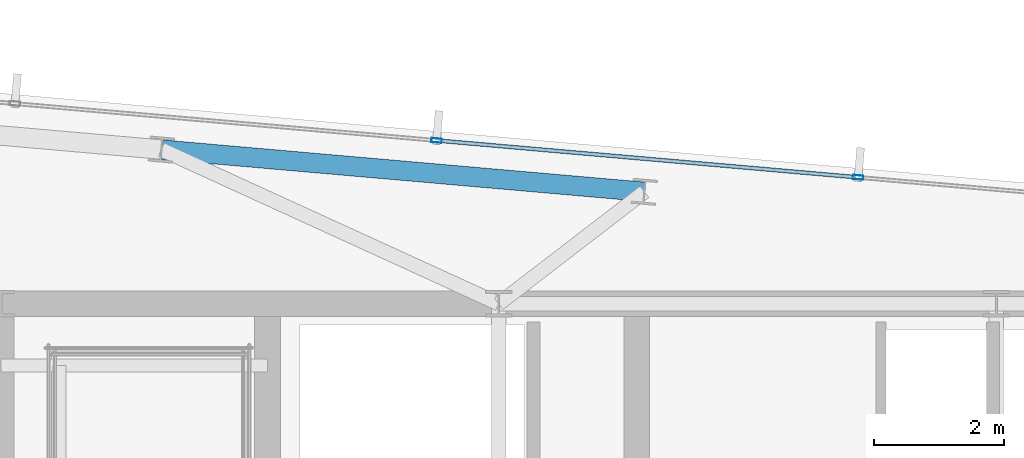
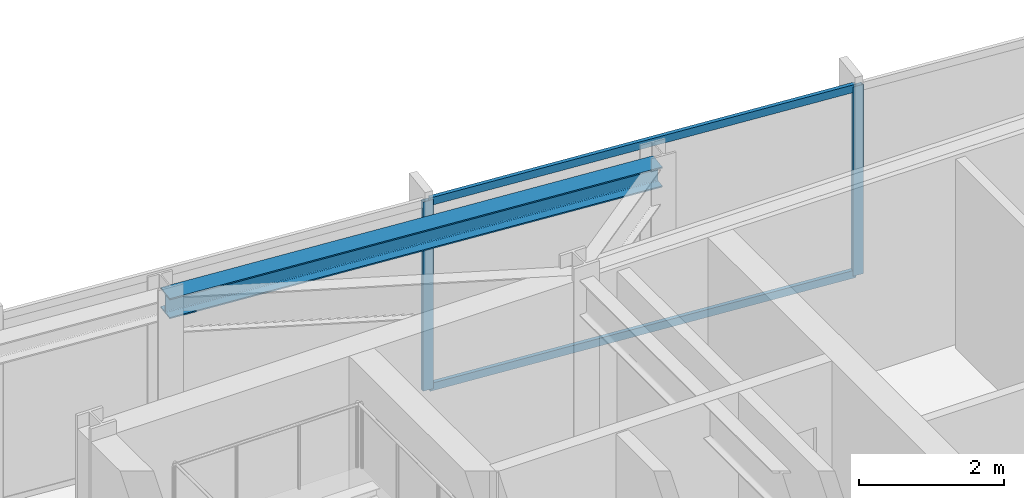
# One storey, part 25 of 32: 4 members, 1 beam, 1 element without a shape of its own.
"""IFC4 building model written with IfcOpenShell, lengths in metres."""

import ifcopenshell
import ifcopenshell.guid

model = None  # the IFC model being written
_history = None  # IfcOwnerHistory: only IFC2X3 demands one
_inside = {}  # id of a spatial element -> (the spatial element, [elements in it])
_under = {}  # id of a project, library or spatial element -> (it, [spatial elements below it])
_declared = {}  # id of a project -> (the project, [libraries it declares])
_typed = {}  # id of a type object -> (the type object, [elements of that type])
_made_of = {}  # id of a material, layer set ... -> (it, [elements and type objects made of it])


def new_model(schema):
    """Start an empty IFC model of exactly this schema.

    Asked for "IFC4X3", IfcOpenShell would pick the latest addendum, in which some entities
    have other attributes; the version numbers below select the first issue.
    IFC2X3 requires an IfcOwnerHistory on every rooted entity: one is made here for all.
    """
    global model, _history
    if schema == "IFC4X3":
        model = ifcopenshell.file(schema_version=(4, 3, 0, 0))
    else:
        model = ifcopenshell.file(schema=schema)
    _inside.clear()
    _under.clear()
    _declared.clear()
    _typed.clear()
    _made_of.clear()
    _history = None
    if model.schema == "IFC2X3":
        org = make("IfcOrganization", Name="unknown")
        user = make(
            "IfcPersonAndOrganization",
            ThePerson=make("IfcPerson", FamilyName="unknown"),
            TheOrganization=org,
        )
        app = make(
            "IfcApplication",
            ApplicationDeveloper=org,
            Version="unknown",
            ApplicationFullName="unknown",
            ApplicationIdentifier="unknown",
        )
        _history = make(
            "IfcOwnerHistory",
            OwningUser=user,
            OwningApplication=app,
            ChangeAction="ADDED",
            CreationDate=0,
        )
    return model


def make(cls, **values):
    """One entity of the class cls with the attributes given. An attribute that is None is left unset."""
    return model.create_entity(
        cls, **{name: value for name, value in values.items() if value is not None}
    )


def rooted(cls, **values):
    """An entity with a GlobalId (a new one), such as an element, a storey or a relation."""
    return make(cls, GlobalId=ifcopenshell.guid.new(), OwnerHistory=_history, **values)


def si_unit(unit_type, name, prefix=None):
    """IfcSIUnit, for example si_unit("LENGTHUNIT", "METRE", prefix="MILLI")."""
    return make("IfcSIUnit", UnitType=unit_type, Prefix=prefix, Name=name)


def assignment(units):
    """IfcUnitAssignment: the units of a project."""
    return None if units is None else make("IfcUnitAssignment", Units=units)


def point(xyz):
    """IfcCartesianPoint."""
    return None if xyz is None else make("IfcCartesianPoint", Coordinates=xyz)


def direction(xyz):
    """IfcDirection."""
    return None if xyz is None else make("IfcDirection", DirectionRatios=xyz)


def frame(location, z_axis=None, x_axis=None):
    """IfcAxis2Placement3D, a coordinate frame: its origin and axes. An axis left out is left unset."""
    return make(
        "IfcAxis2Placement3D",
        Location=point(location),
        Axis=direction(z_axis),
        RefDirection=direction(x_axis),
    )


def frame_2d(location, x_axis=None):
    """IfcAxis2Placement2D, a coordinate frame in the plane: its origin and x axis."""
    return make(
        "IfcAxis2Placement2D", Location=point(location), RefDirection=direction(x_axis)
    )


def origin():
    """The frame at (0, 0, 0) with its axes left unset."""
    return frame((0.0, 0.0, 0.0))


def origin_2d():
    """The frame at (0, 0) in the plane with its x axis left unset."""
    return frame_2d((0.0, 0.0))


def place(relative_to, where):
    """IfcLocalPlacement: puts the frame where relative to a parent placement (None: the world)."""
    return make(
        "IfcLocalPlacement", PlacementRelTo=relative_to, RelativePlacement=where
    )


def context(
    kind, dimensions, precision=None, world=None, true_north=None, identifier=None
):
    """IfcGeometricRepresentationContext, for example the 3D "Model" context."""
    return make(
        "IfcGeometricRepresentationContext",
        ContextIdentifier=identifier,
        ContextType=kind,
        CoordinateSpaceDimension=dimensions,
        Precision=precision,
        WorldCoordinateSystem=world,
        TrueNorth=true_north,
    )


def subcontext(parent, identifier, kind, view, scale=None):
    """IfcGeometricRepresentationSubContext, for example "Body" below "Model"."""
    return make(
        "IfcGeometricRepresentationSubContext",
        ContextIdentifier=identifier,
        ContextType=kind,
        ParentContext=parent,
        TargetScale=scale,
        TargetView=view,
    )


def project(units=None, contexts=None):
    """IfcProject with its units and contexts."""
    return rooted(
        "IfcProject",
        Name="project",
        RepresentationContexts=contexts,
        UnitsInContext=assignment(units),
    )


def spatial(cls, under=None, at=None, **own):
    """A site, building, storey or space (cls), placed at a placement, below another one or the project."""
    s = rooted(cls, ObjectPlacement=at, **own)
    if under is not None:
        _under.setdefault(under.id(), (under, []))[1].append(s)
    return s


def profile(cls, at=None, kind="AREA", **sizes):
    """A parametric profile (cls). Its sizes go by their IFC names, for example OverallWidth=200.0."""
    return make(cls, ProfileType=kind, Position=at, **sizes)


def hollow_rectangle(**sizes):
    """IfcRectangleHollowProfileDef."""
    return profile("IfcRectangleHollowProfileDef", **sizes)


def i_section(**sizes):
    """IfcIShapeProfileDef."""
    return profile("IfcIShapeProfileDef", **sizes)


def extrude(swept, where, along, depth):
    """IfcExtrudedAreaSolid: the profile swept, set in the frame where, extruded along a direction by depth."""
    return make(
        "IfcExtrudedAreaSolid",
        SweptArea=swept,
        Position=where,
        ExtrudedDirection=direction(along),
        Depth=depth,
    )


def shape(context_of_items, identifier, shape_type, items):
    """IfcShapeRepresentation: the items that make up one representation, for example the "Body"."""
    return make(
        "IfcShapeRepresentation",
        ContextOfItems=context_of_items,
        RepresentationIdentifier=identifier,
        RepresentationType=shape_type,
        Items=items,
    )


def material(Name=None, Category=None):
    """IfcMaterial."""
    return make("IfcMaterial", Name=Name, Category=Category)


def material_profile(
    of_material, cross_section, Name=None, Category=None, Priority=None
):
    """IfcMaterialProfile: a cross section and its material."""
    return make(
        "IfcMaterialProfile",
        Name=Name,
        Material=of_material,
        Profile=cross_section,
        Priority=Priority,
        Category=Category,
    )


def profile_set(profiles, Name=None, composite=None):
    """IfcMaterialProfileSet."""
    return make(
        "IfcMaterialProfileSet",
        Name=Name,
        MaterialProfiles=profiles,
        CompositeProfile=composite,
    )


def made_of(thing, what):
    """Note that an element or type object is made of a material, layer set ...; save() writes the relation."""
    if what is not None:
        _made_of.setdefault(what.id(), (what, []))[1].append(thing)
    return thing


def type_object(cls, material=None, **own):
    """A type object (cls), such as IfcWallType, which elements share."""
    return made_of(rooted(cls, **own), material)


def element(
    cls,
    number,
    at=None,
    inside=None,
    cuts=None,
    type_object=None,
    material=None,
    context=None,
    identifier="Body",
    shape_type=None,
    held_by="IfcProductDefinitionShape",
    body=None,
    shapes=None,
    **own,
):
    """One element of the class cls, such as IfcWall. Its Tag is "e" and its number.

    at: its placement. inside: the storey or other place that contains it. cuts: it is an
    opening in that element (IfcRelVoidsElement). A single representation is given by context,
    identifier, shape_type and body (its items); several are given by shapes. held_by: the class
    of the entity that holds the representations. save() writes the other relations.
    """
    e = rooted(cls, Tag="e%d" % number, ObjectPlacement=at, **own)
    if body is not None:
        shapes = [shape(context, identifier, shape_type, body)]
    if shapes is not None:
        e.Representation = make(held_by, Representations=shapes)
    if inside is not None:
        _inside.setdefault(inside.id(), (inside, []))[1].append(e)
    if cuts is not None:
        rooted(
            "IfcRelVoidsElement", RelatingBuildingElement=cuts, RelatedOpeningElement=e
        )
    if type_object is not None:
        _typed.setdefault(type_object.id(), (type_object, []))[1].append(e)
    return made_of(e, material)


def aggregate(whole, parts):
    """IfcRelAggregates: a whole, such as a stair, and the parts it consists of."""
    return rooted("IfcRelAggregates", RelatingObject=whole, RelatedObjects=parts)


def save(model, path):
    """Write the relations noted so far, then the file.

    IfcRelAggregates (storeys below a building ...), IfcRelContainedInSpatialStructure (elements
    in a storey), IfcRelDefinesByType, IfcRelAssociatesMaterial and IfcRelDeclares: one each for
    every whole, place, type object, material and project.
    """
    for whole, parts in _under.values():
        aggregate(whole, parts)
    for where, things in _inside.values():
        rooted(
            "IfcRelContainedInSpatialStructure",
            RelatedElements=things,
            RelatingStructure=where,
        )
    for kind, things in _typed.values():
        rooted("IfcRelDefinesByType", RelatedObjects=things, RelatingType=kind)
    for what, things in _made_of.values():
        rooted("IfcRelAssociatesMaterial", RelatedObjects=things, RelatingMaterial=what)
    for by, libraries in _declared.values():
        rooted("IfcRelDeclares", RelatingContext=by, RelatedDefinitions=libraries)
    model.write(path)


model = new_model("IFC4")

# Units and contexts
model_context = context("Model", 3, precision=1e-05, world=origin(), true_north=direction((0.0, 1.0)))
body_context = subcontext(model_context, "Body", "Model", "MODEL_VIEW")
ifc_project = project(units=[si_unit("LENGTHUNIT", "METRE"), si_unit("AREAUNIT", "SQUARE_METRE"), si_unit("VOLUMEUNIT", "CUBIC_METRE"), si_unit("PLANEANGLEUNIT", "RADIAN"), si_unit("MASSUNIT", "GRAM", prefix="KILO")], contexts=[model_context])

# Site, building, storey
site_placement = place(None, origin())
site = spatial("IfcSite", under=ifc_project, at=site_placement, CompositionType="ELEMENT")
building_placement = place(site_placement, origin())
building = spatial("IfcBuilding", under=site, at=building_placement, Name="Yelkora Congress Tower", CompositionType="ELEMENT")
storey_placement = place(building_placement, frame((0.0, 0.0, 276.10009765625)))
storey = spatial("IfcBuildingStorey", under=building, at=storey_placement, Name="L77", CompositionType="ELEMENT", Elevation=276.10009765625)

# Beam
ifc_material_1 = material(Name="Steel S355J2", Category="steel")
ifc_material_profile_1 = material_profile(ifc_material_1, i_section(OverallWidth=0.300048828125, OverallDepth=0.340087890625, WebThickness=0.011962890625, FlangeThickness=0.021484375, FilletRadius=0.027099609375, at=origin_2d()), Name="HEB 340")
ifc_profile_set_1 = profile_set([ifc_material_profile_1], Name="Steel S355J2")
beam_type = type_object("IfcBeamType", Name="BM-SPAN-HEB340", PredefinedType="SPANDREL", material=ifc_profile_set_1)
beam_placement = place(storey_placement, frame((32.968505859375, 47.927490234375, 3.010009765625), z_axis=(-0.996195771192, 0.087143476284, 0.0), x_axis=(-0.087143476284, -0.996195771192, 0.0)))
element("IfcBeam", 1, at=beam_placement, inside=storey, type_object=beam_type, Name="L77 Perimeter Beam 10", PredefinedType="SPANDREL", context=body_context, shape_type="SweptSolid", body=[
    extrude(i_section(OverallWidth=0.300048828125, OverallDepth=0.340087890625, WebThickness=0.011962890625, FlangeThickness=0.021484375, FilletRadius=0.027099609375, at=origin_2d()), origin(), (0.0, 0.0, 1.0), 7.483154296875),
])

# Curtain wall, members
ifc_material_2 = material(Name="Anodised aluminium and insulated glass", Category="aluminium")
curtain_wall_type = type_object("IfcCurtainWallType", Name="CW-SYS-B5", PredefinedType="NOTDEFINED", material=ifc_material_2)
curtain_wall_placement = place(storey_placement, origin())
curtain_wall = element("IfcCurtainWall", 2, at=curtain_wall_placement, inside=storey, type_object=curtain_wall_type, Name="L77 Unitised Curtain Wall 10", PredefinedType="NOTDEFINED")
ifc_material_3 = material(Name="Anodised aluminium 6063-T6", Category="aluminium")
ifc_material_profile_2 = material_profile(ifc_material_3, hollow_rectangle(XDim=0.06494140625, YDim=0.159912109375, WallThickness=0.00390625, at=origin_2d()), Name="ALU 65x160x4")
ifc_profile_set_2 = profile_set([ifc_material_profile_2], Name="Anodised aluminium 6063-T6")
member_type_1 = type_object("IfcMemberType", Name="MEM-ML-B5", PredefinedType="MULLION", material=ifc_profile_set_2)
member_1_placement = place(storey_placement, frame((29.759765625, 48.719970703125, 0.0), z_axis=(0.0, 0.0, 1.0), x_axis=(0.087156639893, 0.996194619601, 0.0)))
member_1 = element("IfcMember", 3, at=member_1_placement, type_object=member_type_1, Name="CW-B5 mullion 4", PredefinedType="MULLION", context=body_context, shape_type="SweptSolid", body=[
    extrude(hollow_rectangle(XDim=0.06494140625, YDim=0.159912109375, WallThickness=0.00390625, at=origin_2d()), origin(), (0.0, 0.0, 1.0), 3.179931640625),
])
member_2_placement = place(storey_placement, frame((36.266357421875, 48.15087890625, 0.0), z_axis=(0.0, 0.0, 1.0), x_axis=(0.087156639893, 0.996194619601, 0.0)))
member_2 = element("IfcMember", 4, at=member_2_placement, type_object=member_type_1, Name="CW-B5 mullion 5", PredefinedType="MULLION", context=body_context, shape_type="SweptSolid", body=[
    extrude(hollow_rectangle(XDim=0.06494140625, YDim=0.159912109375, WallThickness=0.00390625, at=origin_2d()), origin(), (0.0, 0.0, 1.0), 3.179931640625),
])
ifc_material_profile_3 = material_profile(ifc_material_3, hollow_rectangle(XDim=0.06005859375, YDim=0.1298828125, WallThickness=0.00390625, at=origin_2d()), Name="ALU 60x130x4")
ifc_profile_set_3 = profile_set([ifc_material_profile_3], Name="Anodised aluminium 6063-T6")
member_type_2 = type_object("IfcMemberType", Name="MEM-TR-B5", PredefinedType="USERDEFINED", material=ifc_profile_set_3)
member_3_placement = place(storey_placement, frame((29.7919921875, 48.71728515625, 0.02978515625), z_axis=(0.996192979814, -0.08717538052, 0.0), x_axis=(0.08717538052, 0.996192979814, 0.0)))
member_3 = element("IfcMember", 5, at=member_3_placement, type_object=member_type_2, Name="CW-B5 transom 4.1", ObjectType="TRANSOM", PredefinedType="USERDEFINED", context=body_context, shape_type="SweptSolid", body=[
    extrude(hollow_rectangle(XDim=0.06005859375, YDim=0.1298828125, WallThickness=0.00390625, at=origin_2d()), origin(), (0.0, 0.0, 1.0), 6.466552734375),
])
member_4_placement = place(storey_placement, frame((29.7919921875, 48.71728515625, 3.14990234375), z_axis=(0.996192979814, -0.08717538052, 0.0), x_axis=(0.08717538052, 0.996192979814, 0.0)))
member_4 = element("IfcMember", 6, at=member_4_placement, type_object=member_type_2, Name="CW-B5 transom 4.2", ObjectType="TRANSOM", PredefinedType="USERDEFINED", context=body_context, shape_type="SweptSolid", body=[
    extrude(hollow_rectangle(XDim=0.06005859375, YDim=0.1298828125, WallThickness=0.00390625, at=origin_2d()), origin(), (0.0, 0.0, 1.0), 6.466552734375),
])
aggregate(curtain_wall, [member_1, member_2, member_3, member_4])

save(model, "model.ifc")
